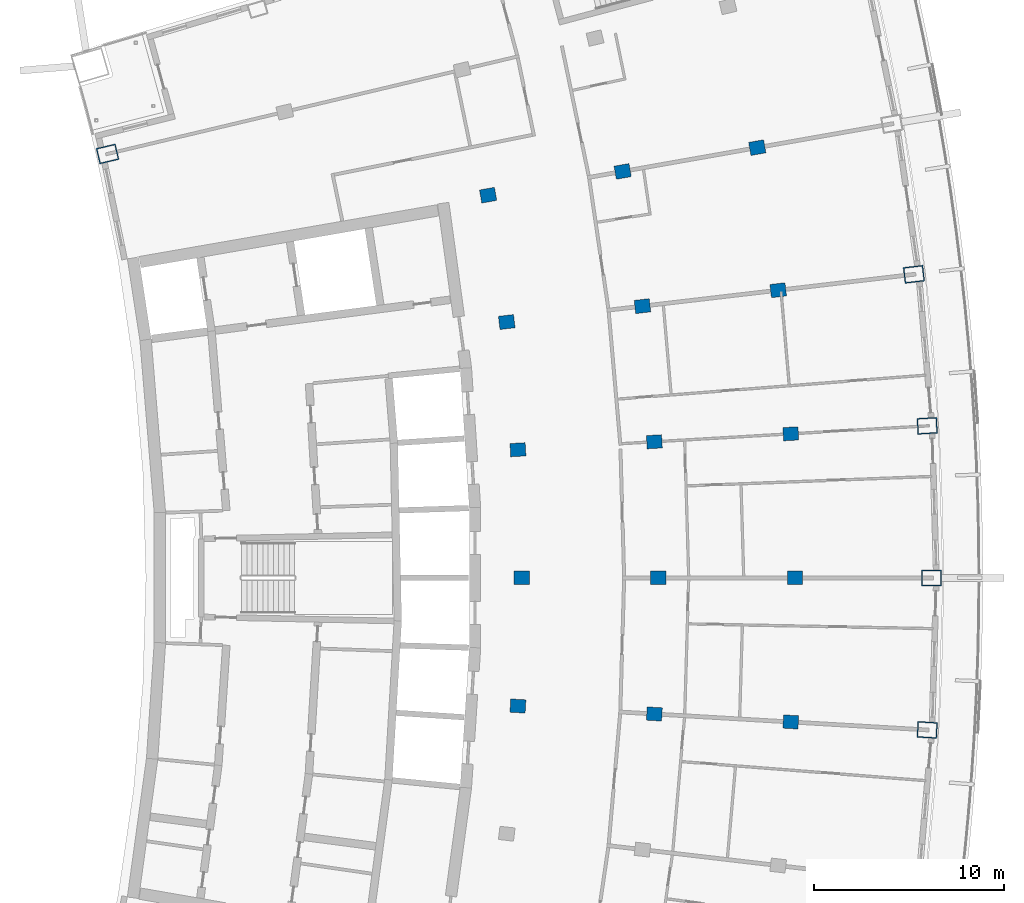
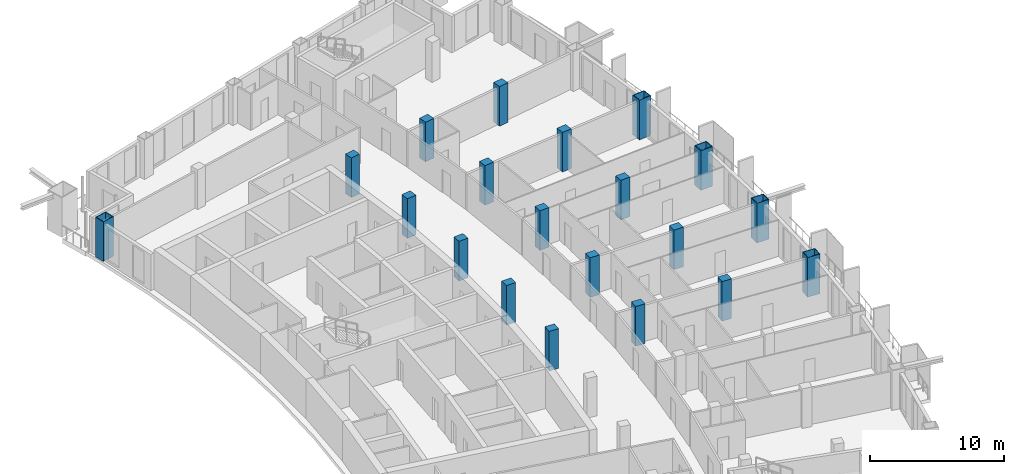
# One storey, part 6 of 19: 20 columns.
"""IFC4 building model written with IfcOpenShell, lengths in metres."""

from ifc_helpers import new_model, si_unit, direction, frame, origin, origin_2d, place, context, subcontext, project, spatial, rectangle, hollow_rectangle, extrude, material, material_profile, profile_set, type_object, element, save


model = new_model("IFC4")

# Units and contexts
model_context = context("Model", 3, precision=1e-05, world=origin(), true_north=direction((0.0, 1.0)))
body_context = subcontext(model_context, "Body", "Model", "MODEL_VIEW")
ifc_project = project(units=[si_unit("LENGTHUNIT", "METRE"), si_unit("AREAUNIT", "SQUARE_METRE"), si_unit("VOLUMEUNIT", "CUBIC_METRE"), si_unit("PLANEANGLEUNIT", "RADIAN"), si_unit("MASSUNIT", "GRAM", prefix="KILO")], contexts=[model_context])

# Site, building, storey
site_placement = place(None, origin())
site = spatial("IfcSite", under=ifc_project, at=site_placement, CompositionType="ELEMENT")
building_placement = place(site_placement, origin())
building = spatial("IfcBuilding", under=site, at=building_placement, Name="Alderwake Tower", CompositionType="ELEMENT")
storey_placement = place(building_placement, frame((0.0, 0.0, 228.800048828125)))
storey = spatial("IfcBuildingStorey", under=building, at=storey_placement, Name="L57", CompositionType="ELEMENT", Elevation=228.800048828125)

# Columns
ifc_material_1 = material(Name="Concrete C70/85", Category="concrete")
ifc_material_profile_1 = material_profile(ifc_material_1, rectangle(XDim=0.699951171875, YDim=0.800048828125, at=origin_2d()), Name="RC 800X700")
ifc_profile_set_1 = profile_set([ifc_material_profile_1], Name="Concrete C70/85")
column_type_1 = type_object("IfcColumnType", Name="Interior column Z4", PredefinedType="COLUMN", material=ifc_profile_set_1)
for number, where, z_axis, x_axis, name in (
    (1, (35.60302734375, 54.248779296875, 0.0), (0.0, 0.0, 1.0), (0.058301061284, 0.998299046505, 0.0), "Column R06-C2"),
    (2, (42.790771484375, 53.8291015625, 0.0), (0.0, 0.0, 1.0), (0.058299318924, 0.998299148258, 0.0), "Column R06-C3"),
    (3, (49.978515625, 53.4091796875, 0.0), (0.0, 0.0, 1.0), (0.058301061284, 0.998299046505, 0.0), "Column R06-C4"),
    (4, (35.800048828125, 61.0, 0.0), (0.0, 0.0, 1.0), (0.0, 1.0, 0.0), "Column R07-C2"),
    (5, (43.0, 61.0, 0.0), (0.0, 0.0, 1.0), (0.0, 1.0, 0.0), "Column R07-C3"),
    (6, (50.199951171875, 61.0, 0.0), (0.0, 0.0, 1.0), (0.0, 1.0, 0.0), "Column R07-C4"),
    (7, (35.60302734375, 67.751220703125, 0.0), (0.0, 0.0, 1.0), (-0.058301061284, 0.998299046505, 0.0), "Column R08-C2"),
    (8, (42.790771484375, 68.1708984375, 0.0), (0.0, 0.0, 1.0), (-0.058299318924, 0.998299148258, 0.0), "Column R08-C3"),
    (9, (49.978515625, 68.5908203125, 0.0), (0.0, 0.0, 1.0), (-0.058301061284, 0.998299046505, 0.0), "Column R08-C4"),
    (10, (35.0126953125, 74.4794921875, 0.0), (0.0, 0.0, 1.0), (-0.116402054316, 0.993202175668, 0.0), "Column R09-C2"),
    (11, (42.163818359375, 75.3173828125, 0.0), (0.0, 0.0, 1.0), (-0.116402054316, 0.993202175668, 0.0), "Column R09-C3"),
    (12, (49.31494140625, 76.155517578125, 0.0), (0.0, 0.0, 1.0), (-0.116402054316, 0.993202175668, 0.0), "Column R09-C4"),
    (13, (34.03125, 81.16162109375, 0.0), (0.0, 0.0, 1.0), (-0.174108800747, 0.984726421654, 0.0), "Column R10-C2"),
    (14, (41.121337890625, 82.415283203125, 0.0), (0.0, 0.0, 1.0), (-0.174108800747, 0.984726421654, 0.0), "Column R10-C3"),
    (15, (48.21142578125, 83.6689453125, 0.0), (0.0, 0.0, 1.0), (-0.174108800747, 0.984726421654, 0.0), "Column R10-C4"),
):
    element("IfcColumn", number, at=place(storey_placement, frame(where, z_axis=z_axis, x_axis=x_axis)), inside=storey, type_object=column_type_1, Name=name, PredefinedType="COLUMN", context=body_context, shape_type="SweptSolid", body=[
        extrude(rectangle(XDim=0.699951171875, YDim=0.800048828125, at=origin_2d()), origin(), (0.0, 0.0, 1.0), 3.599853515625),
    ])
ifc_material_2 = material(Name="Steel ASTM A572 Grade 50 concrete filled C70/85", Category="concrete")
ifc_material_profile_2 = material_profile(ifc_material_2, hollow_rectangle(XDim=0.85009765625, YDim=1.050048828125, WallThickness=0.054931640625, at=origin_2d()), Name="BOX 1050X850X55")
ifc_profile_set_2 = profile_set([ifc_material_profile_2], Name="Steel ASTM A572 Grade 50 concrete filled C70/85")
column_type_2 = type_object("IfcColumnType", Name="Perimeter column Z4", PredefinedType="COLUMN", material=ifc_profile_set_2)
for number, where, z_axis, x_axis, name in (
    (16, (57.166259765625, 52.989501953125, 0.0), (0.0, 0.0, 1.0), (0.058301061284, 0.998299046505, 0.0), "Column R06-C5"),
    (17, (57.39990234375, 61.0, 0.0), (0.0, 0.0, 1.0), (0.0, 1.0, 0.0), "Column R07-C5"),
    (18, (57.166259765625, 69.010498046875, 0.0), (0.0, 0.0, 1.0), (-0.058301061284, 0.998299046505, 0.0), "Column R08-C5"),
    (19, (56.466064453125, 76.99365234375, 0.0), (0.0, 0.0, 1.0), (-0.116402054316, 0.993202175668, 0.0), "Column R09-C5"),
    (20, (13.982177734375, 83.3359375, 0.0), (0.0, 0.0, 1.0), (-0.231221547198, 0.972901123502, 0.0), "Column R11-C0"),
):
    element("IfcColumn", number, at=place(storey_placement, frame(where, z_axis=z_axis, x_axis=x_axis)), inside=storey, type_object=column_type_2, Name=name, PredefinedType="COLUMN", context=body_context, shape_type="SweptSolid", body=[
        extrude(hollow_rectangle(XDim=0.85009765625, YDim=1.050048828125, WallThickness=0.054931640625, at=origin_2d()), origin(), (0.0, 0.0, 1.0), 3.599853515625),
    ])

save(model, "model.ifc")
